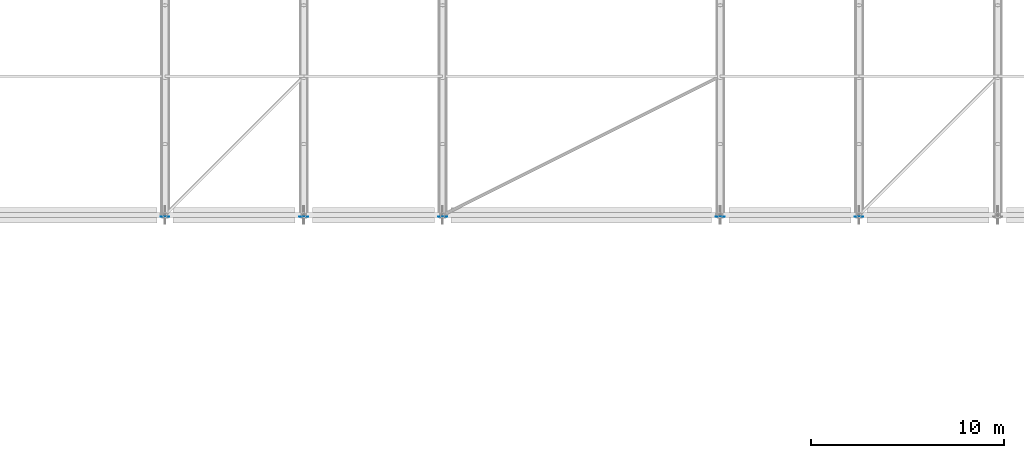
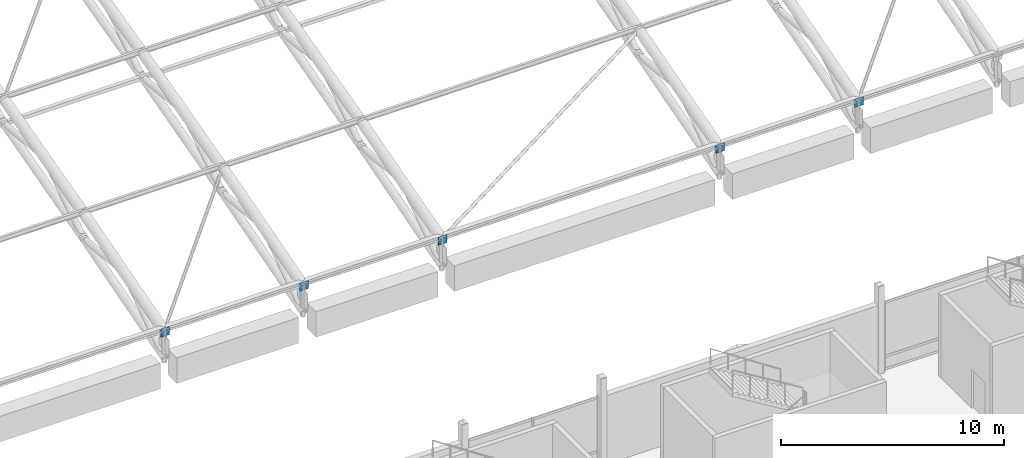
# One storey, part 128 of 193: 5 plates.
"""IFC4 building model written with IfcOpenShell, lengths in metres."""

from ifc_helpers import new_model, si_unit, direction, frame, origin, origin_2d, place, context, subcontext, project, spatial, rectangle, extrude, material, layer, layer_set, type_object, element, save


model = new_model("IFC4")

# Units and contexts
model_context = context("Model", 3, precision=1e-05, world=origin(), true_north=direction((0.0, 1.0)))
body_context = subcontext(model_context, "Body", "Model", "MODEL_VIEW")
ifc_project = project(units=[si_unit("LENGTHUNIT", "METRE"), si_unit("AREAUNIT", "SQUARE_METRE"), si_unit("VOLUMEUNIT", "CUBIC_METRE"), si_unit("PLANEANGLEUNIT", "RADIAN"), si_unit("MASSUNIT", "GRAM", prefix="KILO")], contexts=[model_context])

# Site, building, storey
site_placement = place(None, origin())
site = spatial("IfcSite", under=ifc_project, at=site_placement, CompositionType="ELEMENT")
building_placement = place(site_placement, origin())
building = spatial("IfcBuilding", under=site, at=building_placement, Name="Cendralis Lancet Convention Centre", CompositionType="ELEMENT")
storey_placement = place(building_placement, frame((0.0, 0.0, 10.199951171875)))
storey = spatial("IfcBuildingStorey", under=building, at=storey_placement, Name="L02", CompositionType="ELEMENT", Elevation=10.199951171875)

# Plates
ifc_material = material(Name="Steel S355", Category="steel")
ifc_layer = layer(ifc_material, 0.02001953125, Name="Steel S355")
ifc_layer_set = layer_set([ifc_layer], Name="Steel S355")
plate_type = type_object("IfcPlateType", Name="STR-PL-EC20", PredefinedType="USERDEFINED", material=ifc_layer_set)
for number, where, z_axis, x_axis, name in (
    (1, (64.800048828125, 50.31005859375, 3.3701171875), (0.0, 0.0, 1.0), (1.0, 0.0, 0.0), "Truss End Cap Plate EC-20 AT-V1-08-CAPS"),
    (2, (72.0, 50.31005859375, 3.3701171875), (0.0, 0.0, 1.0), (1.0, 0.0, 0.0), "Truss End Cap Plate EC-20 AT-V1-09-CAPS"),
    (3, (79.199951171875, 50.31005859375, 3.3701171875), (0.0, 0.0, 1.0), (1.0, 0.0, 0.0), "Truss End Cap Plate EC-20 AT-V1-10-CAPS"),
    (4, (93.60009765625, 50.31005859375, 3.3701171875), (0.0, 0.0, 1.0), (1.0, 0.0, 0.0), "Truss End Cap Plate EC-20 AT-V1-11-CAPS"),
    (5, (100.800048828125, 50.31005859375, 3.3701171875), (0.0, 0.0, 1.0), (1.0, 0.0, 0.0), "Truss End Cap Plate EC-20 AT-V1-12-CAPS"),
):
    element("IfcPlate", number, at=place(storey_placement, frame(where, z_axis=z_axis, x_axis=x_axis)), inside=storey, type_object=plate_type, Name=name, ObjectType="GUSSET PLATE", PredefinedType="USERDEFINED", context=body_context, shape_type="SweptSolid", body=[
        extrude(rectangle(XDim=0.4599609375, YDim=0.02001953125, at=origin_2d()), origin(), (0.0, 0.0, 1.0), 0.4599609375),
    ])

save(model, "model.ifc")
